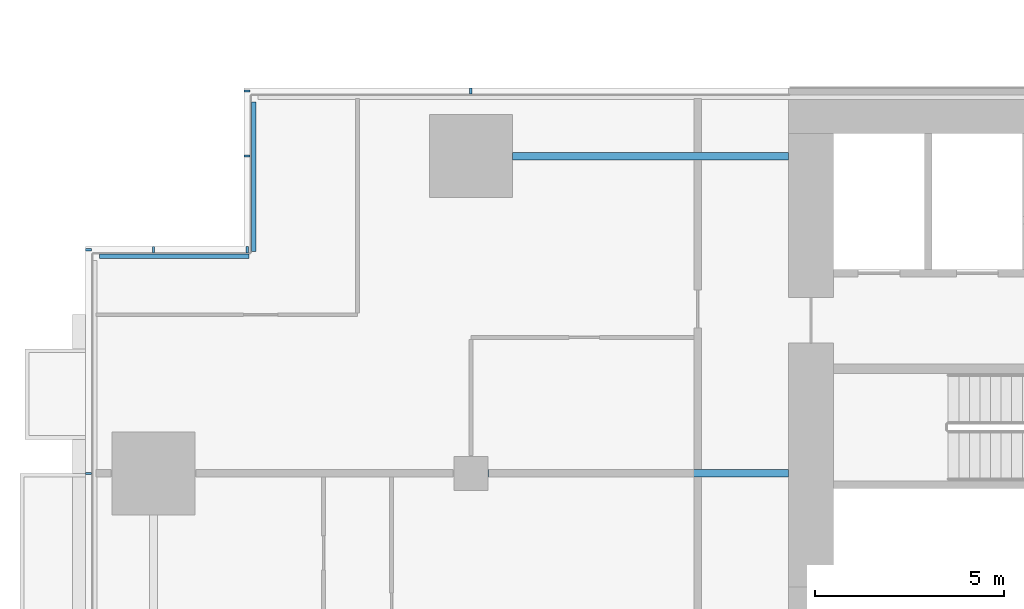
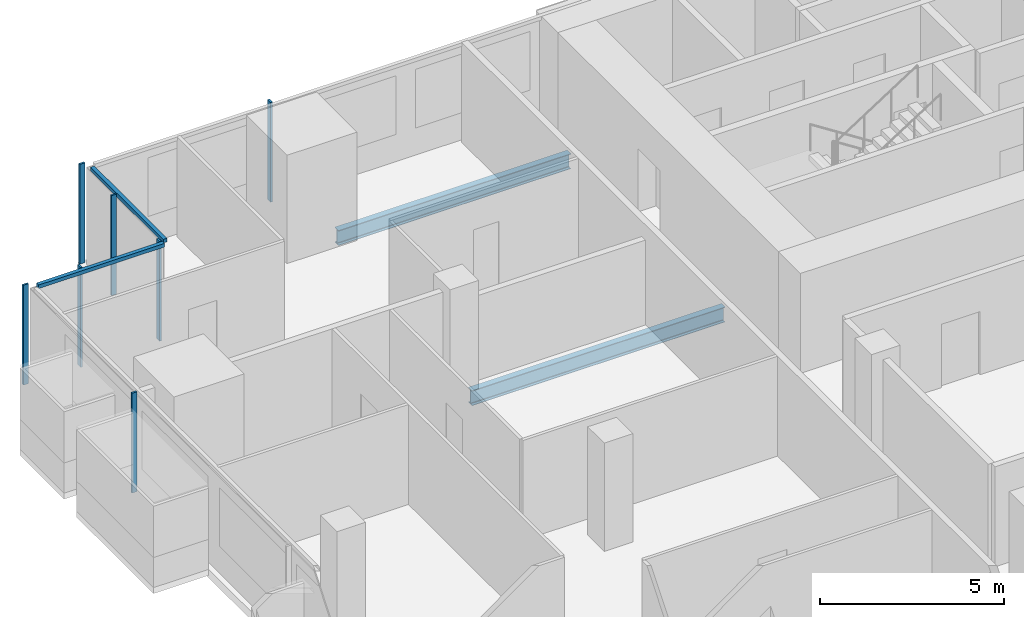
# One storey, part 8 of 30: 9 members, 2 beams, 4 elements without a shape of their own.
"""IFC4 building model written with IfcOpenShell, lengths in metres."""

from ifc_helpers import new_model, si_unit, direction, frame, origin, origin_2d, place, context, subcontext, project, spatial, rectangle, i_section, extrude, material, material_profile, profile_set, type_object, element, aggregate, save


model = new_model("IFC4")

# Units and contexts
model_context = context("Model", 3, precision=1e-05, world=origin(), true_north=direction((0.0, 1.0)))
body_context = subcontext(model_context, "Body", "Model", "MODEL_VIEW")
ifc_project = project(units=[si_unit("LENGTHUNIT", "METRE"), si_unit("AREAUNIT", "SQUARE_METRE"), si_unit("VOLUMEUNIT", "CUBIC_METRE"), si_unit("PLANEANGLEUNIT", "RADIAN"), si_unit("MASSUNIT", "GRAM", prefix="KILO")], contexts=[model_context])

# Site, building, storey
site_placement = place(None, origin())
site = spatial("IfcSite", under=ifc_project, at=site_placement, CompositionType="ELEMENT")
building_placement = place(site_placement, origin())
building = spatial("IfcBuilding", under=site, at=building_placement, Name="Saffron Gate Tower", CompositionType="ELEMENT")
storey_placement = place(building_placement, frame((0.0, 0.0, 37.199951171875)))
storey = spatial("IfcBuildingStorey", under=building, at=storey_placement, Name="L07", CompositionType="ELEMENT", Elevation=37.199951171875)

# Beams
ifc_material_1 = material(Name="Structural steel S355", Category="steel")
ifc_material_profile_1 = material_profile(ifc_material_1, i_section(OverallWidth=0.199951171875, OverallDepth=0.5, WebThickness=0.01025390625, FlangeThickness=0.01611328125, FilletRadius=0.02099609375, at=origin_2d()))
ifc_profile_set_1 = profile_set([ifc_material_profile_1], Name="Structural steel S355")
beam_type = type_object("IfcBeamType", Name="B10 IPE 500", PredefinedType="BEAM", material=ifc_profile_set_1)
beam_1_placement = place(storey_placement, frame((58.64990234375, 65.39990234375, -0.530029296875), z_axis=(1.0, 0.0, 0.0), x_axis=(0.0, 1.0, 0.0)))
element("IfcBeam", 1, at=beam_1_placement, inside=storey, type_object=beam_type, Name="B10 CORE TIE BEAM", PredefinedType="BEAM", context=body_context, shape_type="SweptSolid", body=[
    extrude(i_section(OverallWidth=0.199951171875, OverallDepth=0.5, WebThickness=0.01025390625, FlangeThickness=0.01611328125, FilletRadius=0.02099609375, at=origin_2d()), origin(), (0.0, 0.0, 1.0), 7.9501953125),
])
beam_2_placement = place(storey_placement, frame((59.300048828125, 73.800048828125, -0.530029296875), z_axis=(1.0, 0.0, 0.0), x_axis=(0.0, 1.0, 0.0)))
element("IfcBeam", 2, at=beam_2_placement, inside=storey, type_object=beam_type, Name="B10 CORE TIE BEAM", PredefinedType="BEAM", context=body_context, shape_type="SweptSolid", body=[
    extrude(i_section(OverallWidth=0.199951171875, OverallDepth=0.5, WebThickness=0.01025390625, FlangeThickness=0.01611328125, FilletRadius=0.02099609375, at=origin_2d()), origin(), (0.0, 0.0, 1.0), 7.300048828125),
])

# Curtain wall, members
ifc_material_2 = material(Name="Aluminium, bronze anodised", Category="aluminium")
curtain_wall_type_1 = type_object("IfcCurtainWallType", Name="CWS2 curtain wall side facades", PredefinedType="NOTDEFINED", material=ifc_material_2)
curtain_wall_1_placement = place(storey_placement, origin())
curtain_wall_1 = element("IfcCurtainWall", 3, at=curtain_wall_1_placement, inside=storey, type_object=curtain_wall_type_1, Name="CWS2 run 10", PredefinedType="NOTDEFINED")
ifc_material_profile_2 = material_profile(ifc_material_2, rectangle(XDim=0.159912109375, YDim=0.06005859375, at=origin_2d()))
ifc_profile_set_2 = profile_set([ifc_material_profile_2], Name="Aluminium, bronze anodised")
member_type_1 = type_object("IfcMemberType", Name="CWS2 mullion 60x160", PredefinedType="MULLION", material=ifc_profile_set_2)
member_1_placement = place(storey_placement, frame((48.080078125, 71.320068359375, 0.0), z_axis=(0.0, 0.0, 1.0), x_axis=(1.0, 0.0, 0.0)))
member_1 = element("IfcMember", 4, at=member_1_placement, type_object=member_type_1, Name="CWS2 mullion 1", PredefinedType="MULLION", context=body_context, shape_type="SweptSolid", body=[
    extrude(rectangle(XDim=0.159912109375, YDim=0.06005859375, at=origin_2d()), origin(), (0.0, 0.0, 1.0), 3.320068359375),
])
member_2_placement = place(storey_placement, frame((48.080078125, 65.39990234375, 0.0), z_axis=(0.0, 0.0, 1.0), x_axis=(1.0, 0.0, 0.0)))
member_2 = element("IfcMember", 5, at=member_2_placement, type_object=member_type_1, Name="CWS2 mullion 2", PredefinedType="MULLION", context=body_context, shape_type="SweptSolid", body=[
    extrude(rectangle(XDim=0.159912109375, YDim=0.06005859375, at=origin_2d()), origin(), (0.0, 0.0, 1.0), 3.320068359375),
])
aggregate(curtain_wall_1, [member_1, member_2])

# Curtain wall, member
curtain_wall_type_2 = type_object("IfcCurtainWallType", Name="CWS3 curtain wall rear facade", PredefinedType="NOTDEFINED", material=ifc_material_2)
curtain_wall_2_placement = place(storey_placement, origin())
curtain_wall_2 = element("IfcCurtainWall", 6, at=curtain_wall_2_placement, inside=storey, type_object=curtain_wall_type_2, Name="CWS3 run 7", PredefinedType="NOTDEFINED")
ifc_material_profile_3 = material_profile(ifc_material_2, rectangle(XDim=0.159912109375, YDim=0.070068359375, at=origin_2d()))
ifc_profile_set_3 = profile_set([ifc_material_profile_3], Name="Aluminium, bronze anodised")
member_type_2 = type_object("IfcMemberType", Name="CWS3 mullion 70x160", PredefinedType="MULLION", material=ifc_profile_set_3)
member_3_placement = place(storey_placement, frame((58.199951171875, 75.52001953125, 0.0), z_axis=(0.0, 0.0, 1.0), x_axis=(0.0, -1.0, 0.0)))
member_3 = element("IfcMember", 7, at=member_3_placement, type_object=member_type_2, Name="CWS3 mullion 9", PredefinedType="MULLION", context=body_context, shape_type="SweptSolid", body=[
    extrude(rectangle(XDim=0.159912109375, YDim=0.070068359375, at=origin_2d()), origin(), (0.0, 0.0, 1.0), 3.320068359375),
])
aggregate(curtain_wall_2, [member_3])

curtain_wall_type_3 = type_object("IfcCurtainWallType", Name="CWS4 curtain wall corner returns", PredefinedType="NOTDEFINED", material=ifc_material_2)
curtain_wall_3_placement = place(storey_placement, origin())
curtain_wall_3 = element("IfcCurtainWall", 8, at=curtain_wall_3_placement, inside=storey, type_object=curtain_wall_type_3, Name="CWS4 run 8", PredefinedType="NOTDEFINED")
ifc_material_profile_4 = material_profile(ifc_material_2, rectangle(XDim=0.1201171875, YDim=0.1201171875, at=origin_2d()))
ifc_profile_set_4 = profile_set([ifc_material_profile_4], Name="Aluminium, bronze anodised")
member_type_3 = type_object("IfcMemberType", Name="CWS4 head transom", PredefinedType="USERDEFINED", material=ifc_profile_set_4)
member_4_placement = place(storey_placement, frame((52.447998046875, 75.23193359375, 3.260009765625), z_axis=(0.0, -1.0, 0.0), x_axis=(1.0, 0.0, 0.0)))
member_4 = element("IfcMember", 9, at=member_4_placement, type_object=member_type_3, Name="CWS4 head transom", ObjectType="TRANSOM", PredefinedType="USERDEFINED", context=body_context, shape_type="SweptSolid", body=[
    extrude(rectangle(XDim=0.1201171875, YDim=0.1201171875, at=origin_2d()), origin(), (0.0, 0.0, 1.0), 3.9599609375),
])

curtain_wall_4_placement = place(storey_placement, origin())
curtain_wall_4 = element("IfcCurtainWall", 10, at=curtain_wall_4_placement, inside=storey, type_object=curtain_wall_type_3, Name="CWS4 run 9", PredefinedType="NOTDEFINED")
member_5_placement = place(storey_placement, frame((52.327880859375, 71.152099609375, 3.260009765625), z_axis=(-1.0, 0.0, 0.0), x_axis=(0.0, -1.0, 0.0)))
member_5 = element("IfcMember", 11, at=member_5_placement, type_object=member_type_3, Name="CWS4 head transom", ObjectType="TRANSOM", PredefinedType="USERDEFINED", context=body_context, shape_type="SweptSolid", body=[
    extrude(rectangle(XDim=0.1201171875, YDim=0.1201171875, at=origin_2d()), origin(), (0.0, 0.0, 1.0), 3.9599609375),
])

# Member
ifc_material_profile_5 = material_profile(ifc_material_2, rectangle(XDim=0.159912109375, YDim=0.06005859375, at=origin_2d()))
ifc_profile_set_5 = profile_set([ifc_material_profile_5], Name="Aluminium, bronze anodised")
member_type_4 = type_object("IfcMemberType", Name="CWS4 mullion 60x160", PredefinedType="MULLION", material=ifc_profile_set_5)
member_6_placement = place(storey_placement, frame((52.280029296875, 75.52001953125, 0.0), z_axis=(0.0, 0.0, 1.0), x_axis=(1.0, 0.0, 0.0)))
member_6 = element("IfcMember", 12, at=member_6_placement, type_object=member_type_4, Name="CWS4 mullion 1", PredefinedType="MULLION", context=body_context, shape_type="SweptSolid", body=[
    extrude(rectangle(XDim=0.159912109375, YDim=0.06005859375, at=origin_2d()), origin(), (0.0, 0.0, 1.0), 3.320068359375),
])

member_7_placement = place(storey_placement, frame((52.280029296875, 73.800048828125, 0.0), z_axis=(0.0, 0.0, 1.0), x_axis=(1.0, 0.0, 0.0)))
member_7 = element("IfcMember", 13, at=member_7_placement, type_object=member_type_4, Name="CWS4 mullion 2", PredefinedType="MULLION", context=body_context, shape_type="SweptSolid", body=[
    extrude(rectangle(XDim=0.159912109375, YDim=0.06005859375, at=origin_2d()), origin(), (0.0, 0.0, 1.0), 3.320068359375),
])

aggregate(curtain_wall_3, [member_6, member_7, member_4])

member_8_placement = place(storey_placement, frame((52.280029296875, 71.320068359375, 0.0), z_axis=(0.0, 0.0, 1.0), x_axis=(0.0, -1.0, 0.0)))
member_8 = element("IfcMember", 14, at=member_8_placement, type_object=member_type_4, Name="CWS4 mullion 1", PredefinedType="MULLION", context=body_context, shape_type="SweptSolid", body=[
    extrude(rectangle(XDim=0.159912109375, YDim=0.06005859375, at=origin_2d()), origin(), (0.0, 0.0, 1.0), 3.320068359375),
])

member_9_placement = place(storey_placement, frame((49.800048828125, 71.320068359375, 0.0), z_axis=(0.0, 0.0, 1.0), x_axis=(0.0, -1.0, 0.0)))
member_9 = element("IfcMember", 15, at=member_9_placement, type_object=member_type_4, Name="CWS4 mullion 2", PredefinedType="MULLION", context=body_context, shape_type="SweptSolid", body=[
    extrude(rectangle(XDim=0.159912109375, YDim=0.06005859375, at=origin_2d()), origin(), (0.0, 0.0, 1.0), 3.320068359375),
])

aggregate(curtain_wall_4, [member_8, member_9, member_5])

save(model, "model.ifc")
